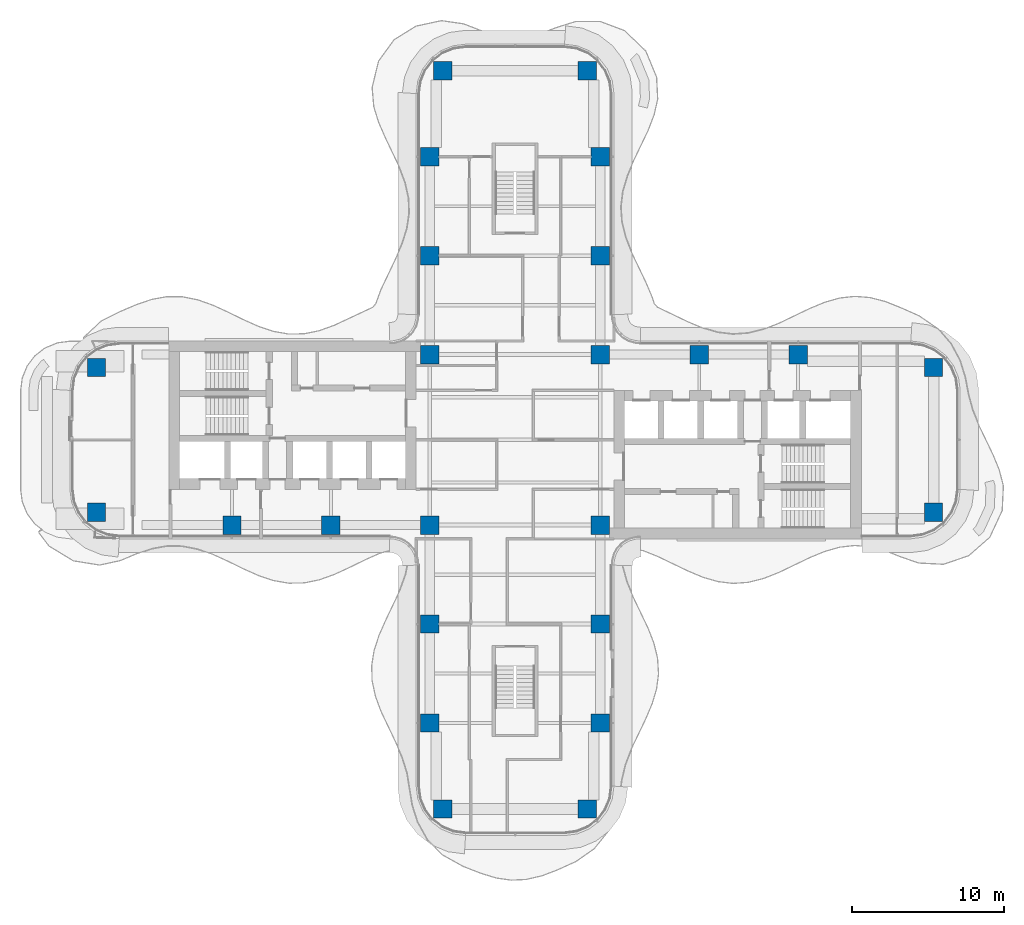
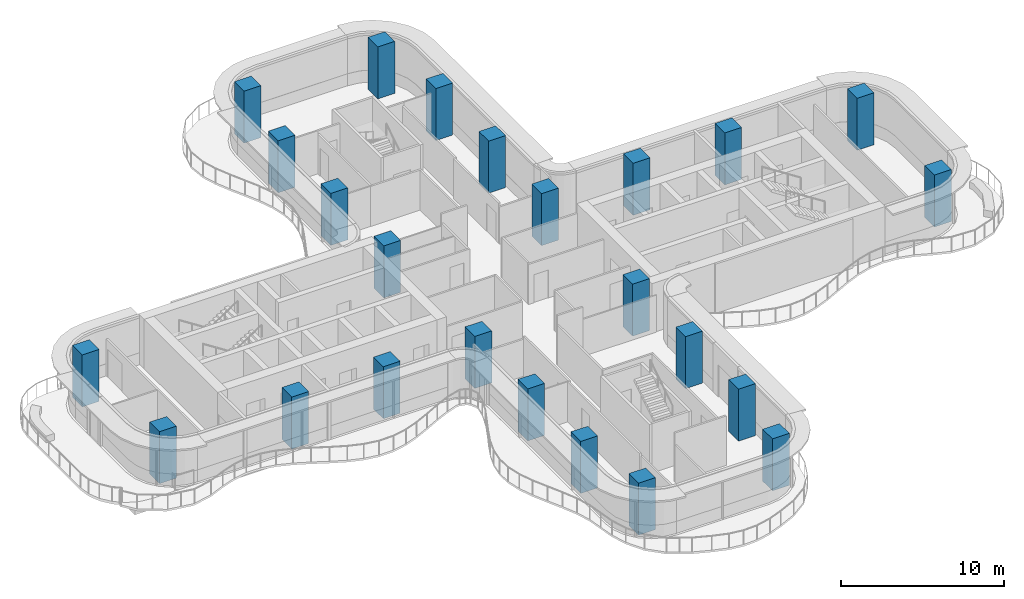
# One storey, part 1 of 17: 24 columns.
"""IFC4 building model written with IfcOpenShell, lengths in metres."""

from ifc_helpers import new_model, si_unit, direction, frame, origin, origin_2d, place, context, subcontext, project, spatial, rectangle, extrude, source, transform, mapped, material, material_profile, profile_set, type_object, element, save


model = new_model("IFC4")

# Units and contexts
model_context = context("Model", 3, precision=1e-05, world=origin(), true_north=direction((0.0, 1.0)))
body_context = subcontext(model_context, "Body", "Model", "MODEL_VIEW")
ifc_project = project(units=[si_unit("LENGTHUNIT", "METRE"), si_unit("AREAUNIT", "SQUARE_METRE"), si_unit("VOLUMEUNIT", "CUBIC_METRE"), si_unit("PLANEANGLEUNIT", "RADIAN"), si_unit("MASSUNIT", "GRAM", prefix="KILO")], contexts=[model_context])

# Site, building, storey
site_placement = place(None, origin())
site = spatial("IfcSite", under=ifc_project, at=site_placement, CompositionType="ELEMENT")
building_placement = place(site_placement, origin())
building = spatial("IfcBuilding", under=site, at=building_placement, Name="Trellis Farm Tower", CompositionType="ELEMENT")
storey_placement = place(building_placement, frame((0.0, 0.0, 162.0)))
storey = spatial("IfcBuildingStorey", under=building, at=storey_placement, Name="L34", CompositionType="ELEMENT", Elevation=162.0)

# Columns
ifc_material = material(Name="Concrete C70/85", Category="concrete")
ifc_material_profile = material_profile(ifc_material, rectangle(XDim=1.199951171875, YDim=1.199951171875, at=origin_2d()), Name="RC column 1200x1200 C70/85")
ifc_profile_set = profile_set([ifc_material_profile], Name="Concrete C70/85")
column_type = type_object("IfcColumnType", Name="RC column 1200x1200 C70/85", PredefinedType="COLUMN", material=ifc_profile_set)
shared_shape = source(origin(), body_context, "Body", "SweptSolid", [
    extrude(rectangle(XDim=1.199951171875, YDim=1.199951171875, at=origin_2d()), origin(), (0.0, 0.0, 1.0), 3.89990234375),
])
for number, where, z_axis, x_axis, name in (
    (1, (12.10009765625, 5.60009765625, 0.0), (0.0, 0.0, 1.0), (1.0, 0.0, 0.0), "Column"),
    (2, (18.60009765625, 5.60009765625, 0.0), (0.0, 0.0, 1.0), (1.0, 0.0, 0.0), "Column"),
    (3, (27.5, 4.75, 0.0), (0.0, 0.0, 1.0), (1.0, 0.0, 0.0), "Column"),
    (4, (27.5, -4.75, 0.0), (0.0, 0.0, 1.0), (1.0, 0.0, 0.0), "Column"),
    (5, (-5.60009765625, 12.10009765625, 0.0), (0.0, 0.0, 1.0), (1.0, 0.0, 0.0), "Column"),
    (6, (-5.60009765625, 18.60009765625, 0.0), (0.0, 0.0, 1.0), (1.0, 0.0, 0.0), "Column"),
    (7, (-4.75, 24.25, 0.0), (0.0, 0.0, 1.0), (1.0, 0.0, 0.0), "Column"),
    (8, (5.60009765625, 12.10009765625, 0.0), (0.0, 0.0, 1.0), (1.0, 0.0, 0.0), "Column"),
    (9, (5.60009765625, 18.60009765625, 0.0), (0.0, 0.0, 1.0), (1.0, 0.0, 0.0), "Column"),
    (10, (4.75, 24.25, 0.0), (0.0, 0.0, 1.0), (1.0, 0.0, 0.0), "Column"),
    (11, (5.60009765625, 5.60009765625, 0.0), (0.0, 0.0, 1.0), (1.0, 0.0, 0.0), "Column"),
    (12, (-5.60009765625, 5.60009765625, 0.0), (0.0, 0.0, 1.0), (1.0, 0.0, 0.0), "Column"),
    (13, (5.60009765625, -5.60009765625, 0.0), (0.0, 0.0, 1.0), (1.0, 0.0, 0.0), "Column"),
    (14, (-5.60009765625, -5.60009765625, 0.0), (0.0, 0.0, 1.0), (1.0, 0.0, 0.0), "Column"),
    (15, (5.60009765625, -12.10009765625, 0.0), (0.0, 0.0, 1.0), (1.0, 0.0, 0.0), "Column"),
    (16, (5.60009765625, -18.60009765625, 0.0), (0.0, 0.0, 1.0), (1.0, 0.0, 0.0), "Column"),
    (17, (4.75, -24.25, 0.0), (0.0, 0.0, 1.0), (1.0, 0.0, 0.0), "Column"),
    (18, (-5.60009765625, -12.10009765625, 0.0), (0.0, 0.0, 1.0), (1.0, 0.0, 0.0), "Column"),
    (19, (-5.60009765625, -18.60009765625, 0.0), (0.0, 0.0, 1.0), (1.0, 0.0, 0.0), "Column"),
    (20, (-4.75, -24.25, 0.0), (0.0, 0.0, 1.0), (1.0, 0.0, 0.0), "Column"),
    (21, (-12.10009765625, -5.60009765625, 0.0), (0.0, 0.0, 1.0), (1.0, 0.0, 0.0), "Column"),
    (22, (-18.60009765625, -5.60009765625, 0.0), (0.0, 0.0, 1.0), (1.0, 0.0, 0.0), "Column"),
    (23, (-27.5, -4.75, 0.0), (0.0, 0.0, 1.0), (1.0, 0.0, 0.0), "Column"),
    (24, (-27.5, 4.75, 0.0), (0.0, 0.0, 1.0), (1.0, 0.0, 0.0), "Column"),
):
    element("IfcColumn", number, at=place(storey_placement, frame(where, z_axis=z_axis, x_axis=x_axis)), inside=storey, type_object=column_type, Name=name, PredefinedType="COLUMN", context=body_context, shape_type="MappedRepresentation", body=[
        mapped(shared_shape, transform((0.0, 0.0, 0.0))),
    ])

save(model, "model.ifc")
